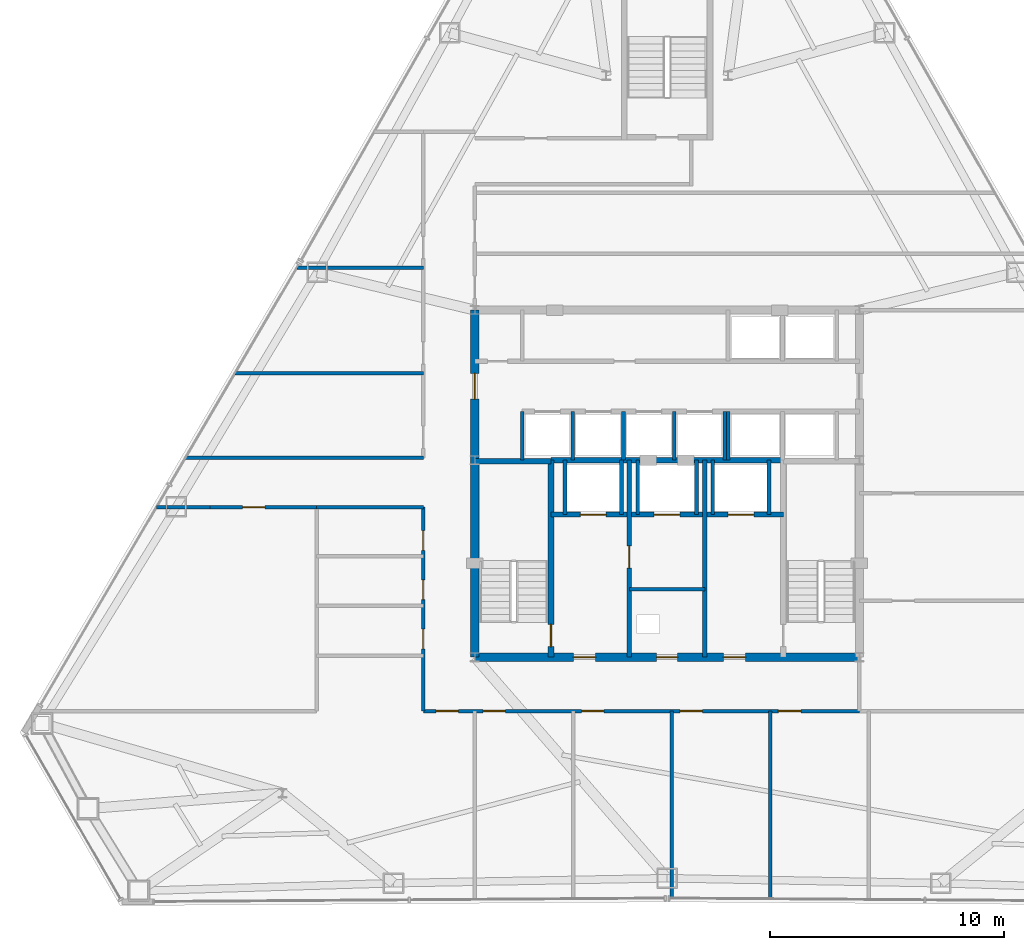
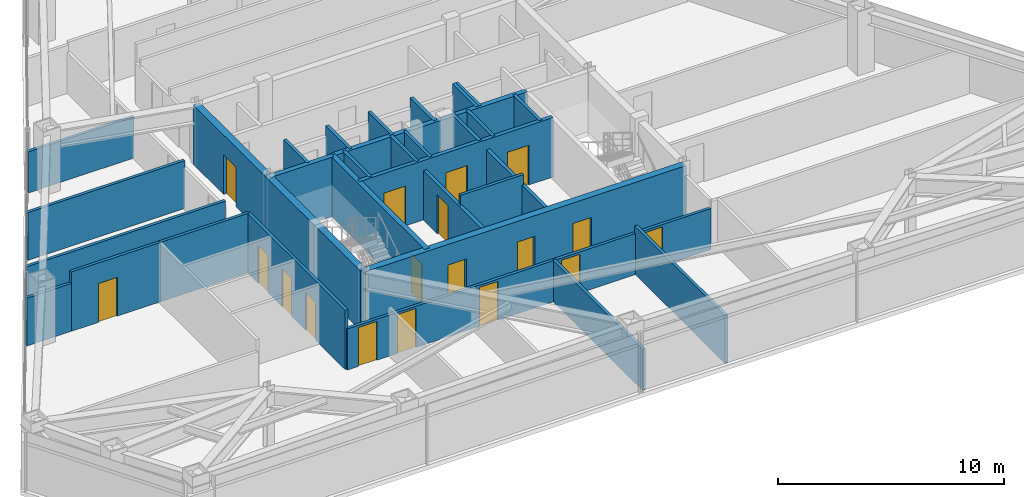
# One storey, part 10 of 13: 31 walls, 18 doors, 18 openings.
"""IFC4 building model written with IfcOpenShell, lengths in metres."""

from ifc_helpers import new_model, si_unit, direction, frame, frame_2d, origin, place, context, subcontext, project, spatial, rectangle, extrude, material, layer, layer_set, type_object, element, fill, save


model = new_model("IFC4")

# Units and contexts
model_context = context("Model", 3, precision=1e-05, world=origin(), true_north=direction((0.0, 1.0)))
body_context = subcontext(model_context, "Body", "Model", "MODEL_VIEW")
ifc_project = project(units=[si_unit("LENGTHUNIT", "METRE"), si_unit("AREAUNIT", "SQUARE_METRE"), si_unit("VOLUMEUNIT", "CUBIC_METRE"), si_unit("PLANEANGLEUNIT", "RADIAN"), si_unit("MASSUNIT", "GRAM", prefix="KILO")], contexts=[model_context])

# Site, building, storey
site_placement = place(None, origin())
site = spatial("IfcSite", under=ifc_project, at=site_placement, CompositionType="ELEMENT")
building_placement = place(site_placement, origin())
building = spatial("IfcBuilding", under=site, at=building_placement, Name="Varakhsha Concourse Tower", CompositionType="ELEMENT")
storey_placement = place(building_placement, frame((0.0, 0.0, 136.699951171875)))
storey = spatial("IfcBuildingStorey", under=building, at=storey_placement, Name="L39", CompositionType="ELEMENT", Elevation=136.699951171875)

# Wall, openings, doors
ifc_material_1 = material(Name="Concrete fc 65 MPa", Category="concrete")
ifc_layer_1 = layer(ifc_material_1, 0.35009765625, Name="WL-CORE-350")
ifc_layer_set_1 = layer_set([ifc_layer_1], Name="Concrete fc 65 MPa")
wall_type_1 = type_object("IfcWallType", Name="WL-CORE-350", PredefinedType="SHEAR", material=ifc_layer_set_1)
wall_1_placement = place(storey_placement, frame((31.800048828125, 16.39990234375, 0.0), z_axis=(0.0, 0.0, 1.0), x_axis=(1.0, 0.0, 0.0)))
wall_1 = element("IfcWall", 1, at=wall_1_placement, inside=storey, type_object=wall_type_1, Name="L39 Wall CWALL-S-L39", PredefinedType="SHEAR", context=body_context, shape_type="SweptSolid", body=[
    extrude(rectangle(XDim=16.39990234375, YDim=0.35009765625, at=frame_2d((8.199951171875, 0.0))), origin(), (0.0, 0.0, 1.0), 3.2099609375),
])
opening_1_placement = place(wall_1_placement, frame((7.75, 0.0, 0.0)))
opening_1 = element("IfcOpeningElement", 2, at=opening_1_placement, cuts=wall_1, Name="Opening DF-06", PredefinedType="OPENING", context=body_context, shape_type="SweptSolid", body=[
    extrude(rectangle(XDim=0.89990234375, YDim=2.10009765625, at=frame_2d((0.449951171875, 1.050048828125))), frame((0.0, 0.18505859375, 0.0), z_axis=(0.0, -1.0, 0.0), x_axis=(1.0, 0.0, 0.0)), (0.0, 0.0, 1.0), 0.3701171875),
])
opening_2_placement = place(wall_1_placement, frame((4.199951171875, 0.0, 0.0)))
opening_2 = element("IfcOpeningElement", 3, at=opening_2_placement, cuts=wall_1, Name="Opening DF-05", PredefinedType="OPENING", context=body_context, shape_type="SweptSolid", body=[
    extrude(rectangle(XDim=0.949951171875, YDim=2.10009765625, at=frame_2d((0.47509765625, 1.050048828125))), frame((0.0, 0.18505859375, 0.0), z_axis=(0.0, -1.0, 0.0), x_axis=(1.0, 0.0, 0.0)), (0.0, 0.0, 1.0), 0.3701171875),
])
opening_3_placement = place(wall_1_placement, frame((10.60009765625, 0.0, 0.0)))
opening_3 = element("IfcOpeningElement", 4, at=opening_3_placement, cuts=wall_1, Name="Opening DF-05", PredefinedType="OPENING", context=body_context, shape_type="SweptSolid", body=[
    extrude(rectangle(XDim=0.949951171875, YDim=2.10009765625, at=frame_2d((0.47509765625, 1.050048828125))), frame((0.0, 0.18505859375, 0.0), z_axis=(0.0, -1.0, 0.0), x_axis=(1.0, 0.0, 0.0)), (0.0, 0.0, 1.0), 0.3701171875),
])
ifc_material_2 = material(Name="Hollow Galvanised Steel Fire Door Assembly", Category="steel")
door_type_1 = type_object("IfcDoorType", Name="DR-FD60-900", OperationType="NOTDEFINED", PredefinedType="DOOR", material=ifc_material_2)
door_1_placement = place(opening_1_placement, origin())
door_1 = element("IfcDoor", 5, at=door_1_placement, inside=storey, type_object=door_type_1, Name="L39 Electrical Riser Access Door", OperationType="SINGLE_SWING_LEFT", OverallHeight=2.10009765625, OverallWidth=0.89990234375, PredefinedType="DOOR", context=body_context, shape_type="SweptSolid", body=[
    extrude(rectangle(XDim=0.89990234375, YDim=2.10009765625, at=frame_2d((0.449951171875, 1.050048828125))), frame((0.0, 0.02490234375, 0.0), z_axis=(0.0, -1.0, 0.0), x_axis=(1.0, 0.0, 0.0)), (0.0, 0.0, 1.0), 0.050048828125),
])
fill(opening_1, door_1)
door_type_2 = type_object("IfcDoorType", Name="DR-FD60-950", OperationType="NOTDEFINED", PredefinedType="DOOR", material=ifc_material_2)
door_2_placement = place(opening_2_placement, origin())
door_2 = element("IfcDoor", 6, at=door_2_placement, inside=storey, type_object=door_type_2, Name="L39 Firefighting Lobby West Door", OperationType="SINGLE_SWING_RIGHT", OverallHeight=2.10009765625, OverallWidth=0.949951171875, PredefinedType="DOOR", context=body_context, shape_type="SweptSolid", body=[
    extrude(rectangle(XDim=0.949951171875, YDim=2.10009765625, at=frame_2d((0.47509765625, 1.050048828125))), frame((0.0, 0.02490234375, 0.0), z_axis=(0.0, -1.0, 0.0), x_axis=(1.0, 0.0, 0.0)), (0.0, 0.0, 1.0), 0.050048828125),
])
fill(opening_2, door_2)
door_3_placement = place(opening_3_placement, origin())
door_3 = element("IfcDoor", 7, at=door_3_placement, inside=storey, type_object=door_type_2, Name="L39 Firefighting Lobby East Door", OperationType="SINGLE_SWING_LEFT", OverallHeight=2.10009765625, OverallWidth=0.949951171875, PredefinedType="DOOR", context=body_context, shape_type="SweptSolid", body=[
    extrude(rectangle(XDim=0.949951171875, YDim=2.10009765625, at=frame_2d((0.47509765625, 1.050048828125))), frame((0.0, 0.02490234375, 0.0), z_axis=(0.0, -1.0, 0.0), x_axis=(1.0, 0.0, 0.0)), (0.0, 0.0, 1.0), 0.050048828125),
])
fill(opening_3, door_3)

# Wall, opening, door
wall_2_placement = place(storey_placement, frame((31.800048828125, 16.39990234375, 0.0), z_axis=(0.0, 0.0, 1.0), x_axis=(0.0, 1.0, 0.0)))
wall_2 = element("IfcWall", 8, at=wall_2_placement, inside=storey, type_object=wall_type_1, Name="L39 Wall CWALL-W-L39", PredefinedType="SHEAR", context=body_context, shape_type="SweptSolid", body=[
    extrude(rectangle(XDim=14.800048828125, YDim=0.35009765625, at=frame_2d((7.39990234375, 0.0))), origin(), (0.0, 0.0, 1.0), 3.2099609375),
])
opening_4_placement = place(wall_2_placement, frame((11.0, 0.0, 0.0)))
opening_4 = element("IfcOpeningElement", 9, at=opening_4_placement, cuts=wall_2, Name="Opening DL-01", PredefinedType="OPENING", context=body_context, shape_type="SweptSolid", body=[
    extrude(rectangle(XDim=1.10009765625, YDim=2.14990234375, at=frame_2d((0.550048828125, 1.074951171875))), frame((0.0, 0.18505859375, 0.0), z_axis=(0.0, -1.0, 0.0), x_axis=(1.0, 0.0, 0.0)), (0.0, 0.0, 1.0), 0.3701171875),
])
ifc_material_3 = material(Name="Anodised Bronze Architectural Aluminium AA 6063-T6", Category="aluminium")
door_type_3 = type_object("IfcDoorType", Name="DR-LOB-1100", OperationType="NOTDEFINED", PredefinedType="DOOR", material=ifc_material_3)
door_4_placement = place(opening_4_placement, origin())
door_4 = element("IfcDoor", 10, at=door_4_placement, inside=storey, type_object=door_type_3, Name="L39 Lift Lobby West Concourse Door", OperationType="SINGLE_SWING_LEFT", OverallHeight=2.14990234375, OverallWidth=1.10009765625, PredefinedType="DOOR", context=body_context, shape_type="SweptSolid", body=[
    extrude(rectangle(XDim=1.10009765625, YDim=2.14990234375, at=frame_2d((0.550048828125, 1.074951171875))), frame((0.0, 0.02490234375, 0.0), z_axis=(0.0, -1.0, 0.0), x_axis=(1.0, 0.0, 0.0)), (0.0, 0.0, 1.0), 0.050048828125),
])
fill(opening_4, door_4)

ifc_material_4 = material(Name="Fire-Rated Type X Gypsum Partition Assembly", Category="gypsum")
ifc_layer_2 = layer(ifc_material_4, 0.179931640625, Name="WL-FFLOB-180")
ifc_layer_set_2 = layer_set([ifc_layer_2], Name="Fire-Rated Type X Gypsum Partition Assembly")
wall_type_2 = type_object("IfcWallType", Name="WL-FFLOB-180", PredefinedType="PARTITIONING", material=ifc_layer_set_2)
wall_3_placement = place(storey_placement, frame((38.389892578125, 16.39990234375, 0.0), z_axis=(0.0, 0.0, 1.0), x_axis=(0.0, 1.0, 0.0)))
wall_3 = element("IfcWall", 11, at=wall_3_placement, inside=storey, type_object=wall_type_2, Name="L39 Wall FFW-1E-L39", PredefinedType="PARTITIONING", context=body_context, shape_type="SweptSolid", body=[
    extrude(rectangle(XDim=8.400146484375, YDim=0.179931640625, at=frame_2d((4.2001953125, 0.0))), origin(), (0.0, 0.0, 1.0), 2.6611328125),
])
opening_5_placement = place(wall_3_placement, frame((3.800048828125, 0.0, 0.0)))
opening_5 = element("IfcOpeningElement", 12, at=opening_5_placement, cuts=wall_3, Name="Opening DF-05", PredefinedType="OPENING", context=body_context, shape_type="SweptSolid", body=[
    extrude(rectangle(XDim=0.949951171875, YDim=2.10009765625, at=frame_2d((0.47509765625, 1.050048828125))), frame((0.0, 0.099853515625, 0.0), z_axis=(0.0, -1.0, 0.0), x_axis=(1.0, 0.0, 0.0)), (0.0, 0.0, 1.0), 0.199951171875),
])
door_5_placement = place(opening_5_placement, origin())
door_5 = element("IfcDoor", 13, at=door_5_placement, inside=storey, type_object=door_type_2, Name="L39 Service Vestibule Door", OperationType="SINGLE_SWING_RIGHT", OverallHeight=2.10009765625, OverallWidth=0.949951171875, PredefinedType="DOOR", context=body_context, shape_type="SweptSolid", body=[
    extrude(rectangle(XDim=0.949951171875, YDim=2.10009765625, at=frame_2d((0.47509765625, 1.050048828125))), frame((0.0, 0.02490234375, 0.0), z_axis=(0.0, -1.0, 0.0), x_axis=(1.0, 0.0, 0.0)), (0.0, 0.0, 1.0), 0.050048828125),
])
fill(opening_5, door_5)

# Walls
wall_4_placement = place(storey_placement, frame((41.610107421875, 16.39990234375, 0.0), z_axis=(0.0, 0.0, 1.0), x_axis=(0.0, 1.0, 0.0)))
element("IfcWall", 14, at=wall_4_placement, inside=storey, type_object=wall_type_2, Name="L39 Wall FFW-2W-L39", PredefinedType="PARTITIONING", context=body_context, shape_type="SweptSolid", body=[
    extrude(rectangle(XDim=8.400146484375, YDim=0.179931640625, at=frame_2d((4.2001953125, 0.0))), origin(), (0.0, 0.0, 1.0), 2.6611328125),
])
ifc_layer_3 = layer(ifc_material_4, 0.14990234375, Name="WL-PART-150")
ifc_layer_set_3 = layer_set([ifc_layer_3], Name="Fire-Rated Type X Gypsum Partition Assembly")
wall_type_3 = type_object("IfcWallType", Name="WL-PART-150", PredefinedType="PARTITIONING", material=ifc_layer_set_3)
wall_5_placement = place(storey_placement, frame((38.389892578125, 19.300048828125, 0.0), z_axis=(0.0, 0.0, 1.0), x_axis=(1.0, 0.0, 0.0)))
element("IfcWall", 15, at=wall_5_placement, inside=storey, type_object=wall_type_3, Name="L39 Wall RSW-H-L39", PredefinedType="PARTITIONING", context=body_context, shape_type="SweptSolid", body=[
    extrude(rectangle(XDim=3.22021484375, YDim=0.14990234375, at=frame_2d((1.610107421875, 0.0))), origin(), (0.0, 0.0, 1.0), 3.2099609375),
])

# Wall, openings, doors
wall_6_placement = place(storey_placement, frame((29.60009765625, 14.10009765625, 0.0), z_axis=(0.0, 0.0, 1.0), x_axis=(1.0, 0.0, 0.0)))
wall_6 = element("IfcWall", 16, at=wall_6_placement, inside=storey, type_object=wall_type_3, Name="L39 Wall CRW-S-L39", PredefinedType="PARTITIONING", context=body_context, shape_type="SweptSolid", body=[
    extrude(rectangle(XDim=18.599853515625, YDim=0.14990234375, at=frame_2d((9.2998046875, 0.0))), origin(), (0.0, 0.0, 1.0), 2.22509765625),
])
opening_6_placement = place(wall_6_placement, frame((0.550048828125, 0.0, 0.0)))
opening_6 = element("IfcOpeningElement", 17, at=opening_6_placement, cuts=wall_6, Name="Opening DF-05", PredefinedType="OPENING", context=body_context, shape_type="SweptSolid", body=[
    extrude(rectangle(XDim=0.949951171875, YDim=2.10009765625, at=frame_2d((0.47509765625, 1.050048828125))), frame((0.0, 0.0849609375, 0.0), z_axis=(0.0, -1.0, 0.0), x_axis=(1.0, 0.0, 0.0)), (0.0, 0.0, 1.0), 0.169921875),
])
opening_7_placement = place(wall_6_placement, frame((2.550048828125, 0.0, 0.0)))
opening_7 = element("IfcOpeningElement", 18, at=opening_7_placement, cuts=wall_6, Name="Opening DF-05", PredefinedType="OPENING", context=body_context, shape_type="SweptSolid", body=[
    extrude(rectangle(XDim=0.949951171875, YDim=2.10009765625, at=frame_2d((0.47509765625, 1.050048828125))), frame((0.0, 0.0849609375, 0.0), z_axis=(0.0, -1.0, 0.0), x_axis=(1.0, 0.0, 0.0)), (0.0, 0.0, 1.0), 0.169921875),
])
opening_8_placement = place(wall_6_placement, frame((6.75, 0.0, 0.0)))
opening_8 = element("IfcOpeningElement", 19, at=opening_8_placement, cuts=wall_6, Name="Opening DF-05", PredefinedType="OPENING", context=body_context, shape_type="SweptSolid", body=[
    extrude(rectangle(XDim=0.949951171875, YDim=2.10009765625, at=frame_2d((0.47509765625, 1.050048828125))), frame((0.0, 0.0849609375, 0.0), z_axis=(0.0, -1.0, 0.0), x_axis=(1.0, 0.0, 0.0)), (0.0, 0.0, 1.0), 0.169921875),
])
opening_9_placement = place(wall_6_placement, frame((10.949951171875, 0.0, 0.0)))
opening_9 = element("IfcOpeningElement", 20, at=opening_9_placement, cuts=wall_6, Name="Opening DF-05", PredefinedType="OPENING", context=body_context, shape_type="SweptSolid", body=[
    extrude(rectangle(XDim=0.949951171875, YDim=2.10009765625, at=frame_2d((0.47509765625, 1.050048828125))), frame((0.0, 0.0849609375, 0.0), z_axis=(0.0, -1.0, 0.0), x_axis=(1.0, 0.0, 0.0)), (0.0, 0.0, 1.0), 0.169921875),
])
opening_10_placement = place(wall_6_placement, frame((15.14990234375, 0.0, 0.0)))
opening_10 = element("IfcOpeningElement", 21, at=opening_10_placement, cuts=wall_6, Name="Opening DF-05", PredefinedType="OPENING", context=body_context, shape_type="SweptSolid", body=[
    extrude(rectangle(XDim=0.949951171875, YDim=2.10009765625, at=frame_2d((0.47509765625, 1.050048828125))), frame((0.0, 0.0849609375, 0.0), z_axis=(0.0, -1.0, 0.0), x_axis=(1.0, 0.0, 0.0)), (0.0, 0.0, 1.0), 0.169921875),
])
door_6_placement = place(opening_6_placement, origin())
door_6 = element("IfcDoor", 22, at=door_6_placement, inside=storey, type_object=door_type_2, Name="L39 BIM Coordination Workroom L39-S1 Door", OperationType="SINGLE_SWING_LEFT", OverallHeight=2.10009765625, OverallWidth=0.949951171875, PredefinedType="DOOR", context=body_context, shape_type="SweptSolid", body=[
    extrude(rectangle(XDim=0.949951171875, YDim=2.10009765625, at=frame_2d((0.47509765625, 1.050048828125))), frame((0.0, 0.02490234375, 0.0), z_axis=(0.0, -1.0, 0.0), x_axis=(1.0, 0.0, 0.0)), (0.0, 0.0, 1.0), 0.050048828125),
])
fill(opening_6, door_6)
door_7_placement = place(opening_7_placement, origin())
door_7 = element("IfcDoor", 23, at=door_7_placement, inside=storey, type_object=door_type_2, Name="L39 Dry R&D Design Lab L39-S2 Door", OperationType="SINGLE_SWING_RIGHT", OverallHeight=2.10009765625, OverallWidth=0.949951171875, PredefinedType="DOOR", context=body_context, shape_type="SweptSolid", body=[
    extrude(rectangle(XDim=0.949951171875, YDim=2.10009765625, at=frame_2d((0.47509765625, 1.050048828125))), frame((0.0, 0.02490234375, 0.0), z_axis=(0.0, -1.0, 0.0), x_axis=(1.0, 0.0, 0.0)), (0.0, 0.0, 1.0), 0.050048828125),
])
fill(opening_7, door_7)
door_8_placement = place(opening_8_placement, origin())
door_8 = element("IfcDoor", 24, at=door_8_placement, inside=storey, type_object=door_type_2, Name="L39 Dry R&D Design Lab L39-S3 Door", OperationType="SINGLE_SWING_LEFT", OverallHeight=2.10009765625, OverallWidth=0.949951171875, PredefinedType="DOOR", context=body_context, shape_type="SweptSolid", body=[
    extrude(rectangle(XDim=0.949951171875, YDim=2.10009765625, at=frame_2d((0.47509765625, 1.050048828125))), frame((0.0, 0.02490234375, 0.0), z_axis=(0.0, -1.0, 0.0), x_axis=(1.0, 0.0, 0.0)), (0.0, 0.0, 1.0), 0.050048828125),
])
fill(opening_8, door_8)
door_9_placement = place(opening_9_placement, origin())
door_9 = element("IfcDoor", 25, at=door_9_placement, inside=storey, type_object=door_type_2, Name="L39 Dry R&D Design Lab L39-S4 Door", OperationType="SINGLE_SWING_RIGHT", OverallHeight=2.10009765625, OverallWidth=0.949951171875, PredefinedType="DOOR", context=body_context, shape_type="SweptSolid", body=[
    extrude(rectangle(XDim=0.949951171875, YDim=2.10009765625, at=frame_2d((0.47509765625, 1.050048828125))), frame((0.0, 0.02490234375, 0.0), z_axis=(0.0, -1.0, 0.0), x_axis=(1.0, 0.0, 0.0)), (0.0, 0.0, 1.0), 0.050048828125),
])
fill(opening_9, door_9)
door_10_placement = place(opening_10_placement, origin())
door_10 = element("IfcDoor", 26, at=door_10_placement, inside=storey, type_object=door_type_2, Name="L39 Dry R&D Design Lab L39-S5 Door", OperationType="SINGLE_SWING_LEFT", OverallHeight=2.10009765625, OverallWidth=0.949951171875, PredefinedType="DOOR", context=body_context, shape_type="SweptSolid", body=[
    extrude(rectangle(XDim=0.949951171875, YDim=2.10009765625, at=frame_2d((0.47509765625, 1.050048828125))), frame((0.0, 0.02490234375, 0.0), z_axis=(0.0, -1.0, 0.0), x_axis=(1.0, 0.0, 0.0)), (0.0, 0.0, 1.0), 0.050048828125),
])
fill(opening_10, door_10)

wall_7_placement = place(storey_placement, frame((29.60009765625, 14.10009765625, 0.0), z_axis=(0.0, 0.0, 1.0), x_axis=(0.0, 1.0, 0.0)))
wall_7 = element("IfcWall", 27, at=wall_7_placement, inside=storey, type_object=wall_type_3, Name="L39 Wall CRW-WS-L39", PredefinedType="PARTITIONING", context=body_context, shape_type="SweptSolid", body=[
    extrude(rectangle(XDim=8.699951171875, YDim=0.14990234375, at=frame_2d((4.35009765625, 0.0))), origin(), (0.0, 0.0, 1.0), 3.2099609375),
])
opening_11_placement = place(wall_7_placement, frame((2.64990234375, 0.0, 0.0)))
opening_11 = element("IfcOpeningElement", 28, at=opening_11_placement, cuts=wall_7, Name="Opening DF-07", PredefinedType="OPENING", context=body_context, shape_type="SweptSolid", body=[
    extrude(rectangle(XDim=0.85009765625, YDim=2.050048828125, at=frame_2d((0.425048828125, 1.02490234375))), frame((0.0, 0.0849609375, 0.0), z_axis=(0.0, -1.0, 0.0), x_axis=(1.0, 0.0, 0.0)), (0.0, 0.0, 1.0), 0.169921875),
])
opening_12_placement = place(wall_7_placement, frame((4.75, 0.0, 0.0)))
opening_12 = element("IfcOpeningElement", 29, at=opening_12_placement, cuts=wall_7, Name="Opening DF-07", PredefinedType="OPENING", context=body_context, shape_type="SweptSolid", body=[
    extrude(rectangle(XDim=0.85009765625, YDim=2.050048828125, at=frame_2d((0.425048828125, 1.02490234375))), frame((0.0, 0.0849609375, 0.0), z_axis=(0.0, -1.0, 0.0), x_axis=(1.0, 0.0, 0.0)), (0.0, 0.0, 1.0), 0.169921875),
])
opening_13_placement = place(wall_7_placement, frame((6.85009765625, 0.0, 0.0)))
opening_13 = element("IfcOpeningElement", 30, at=opening_13_placement, cuts=wall_7, Name="Opening DF-07", PredefinedType="OPENING", context=body_context, shape_type="SweptSolid", body=[
    extrude(rectangle(XDim=0.85009765625, YDim=2.050048828125, at=frame_2d((0.425048828125, 1.02490234375))), frame((0.0, 0.0849609375, 0.0), z_axis=(0.0, -1.0, 0.0), x_axis=(1.0, 0.0, 0.0)), (0.0, 0.0, 1.0), 0.169921875),
])
door_type_4 = type_object("IfcDoorType", Name="DR-FD60-850", OperationType="NOTDEFINED", PredefinedType="DOOR", material=ifc_material_2)
door_11_placement = place(opening_11_placement, origin())
door_11 = element("IfcDoor", 31, at=door_11_placement, inside=storey, type_object=door_type_4, Name="L39 Men Restroom WC Door", OperationType="SINGLE_SWING_LEFT", OverallHeight=2.050048828125, OverallWidth=0.85009765625, PredefinedType="DOOR", context=body_context, shape_type="SweptSolid", body=[
    extrude(rectangle(XDim=0.85009765625, YDim=2.050048828125, at=frame_2d((0.425048828125, 1.02490234375))), frame((0.0, 0.02490234375, 0.0), z_axis=(0.0, -1.0, 0.0), x_axis=(1.0, 0.0, 0.0)), (0.0, 0.0, 1.0), 0.050048828125),
])
fill(opening_11, door_11)
door_12_placement = place(opening_12_placement, origin())
door_12 = element("IfcDoor", 32, at=door_12_placement, inside=storey, type_object=door_type_4, Name="L39 Women Restroom WC Door", OperationType="SINGLE_SWING_LEFT", OverallHeight=2.050048828125, OverallWidth=0.85009765625, PredefinedType="DOOR", context=body_context, shape_type="SweptSolid", body=[
    extrude(rectangle(XDim=0.85009765625, YDim=2.050048828125, at=frame_2d((0.425048828125, 1.02490234375))), frame((0.0, 0.02490234375, 0.0), z_axis=(0.0, -1.0, 0.0), x_axis=(1.0, 0.0, 0.0)), (0.0, 0.0, 1.0), 0.050048828125),
])
fill(opening_12, door_12)
door_13_placement = place(opening_13_placement, origin())
door_13 = element("IfcDoor", 33, at=door_13_placement, inside=storey, type_object=door_type_4, Name="L39 Accessible WC Door", OperationType="SINGLE_SWING_LEFT", OverallHeight=2.050048828125, OverallWidth=0.85009765625, PredefinedType="DOOR", context=body_context, shape_type="SweptSolid", body=[
    extrude(rectangle(XDim=0.85009765625, YDim=2.050048828125, at=frame_2d((0.425048828125, 1.02490234375))), frame((0.0, 0.02490234375, 0.0), z_axis=(0.0, -1.0, 0.0), x_axis=(1.0, 0.0, 0.0)), (0.0, 0.0, 1.0), 0.050048828125),
])
fill(opening_13, door_13)

# Walls
wall_8_placement = place(storey_placement, frame((18.2236328125, 22.800048828125, 0.0), z_axis=(0.0, 0.0, 1.0), x_axis=(1.0, 0.0, 0.0)))
element("IfcWall", 34, at=wall_8_placement, inside=storey, type_object=wall_type_3, Name="L39 Wall CRW-WWS-W-L39", PredefinedType="PARTITIONING", context=body_context, shape_type="SweptSolid", body=[
    extrude(rectangle(XDim=2.2763671875, YDim=0.14990234375, at=frame_2d((1.13818359375, 0.0))), origin(), (0.0, 0.0, 1.0), 2.589111328125),
])
wall_9_placement = place(storey_placement, frame((25.050048828125, 22.800048828125, 0.0), z_axis=(0.0, 0.0, 1.0), x_axis=(1.0, 0.0, 0.0)))
element("IfcWall", 35, at=wall_9_placement, inside=storey, type_object=wall_type_3, Name="L39 Wall CRW-WWS-E-L39", PredefinedType="PARTITIONING", context=body_context, shape_type="SweptSolid", body=[
    extrude(rectangle(XDim=4.550048828125, YDim=0.14990234375, at=frame_2d((2.27490234375, 0.0))), origin(), (0.0, 0.0, 1.0), 3.2099609375),
])
wall_10_placement = place(storey_placement, frame((19.455078125, 24.89990234375, 0.0), z_axis=(0.0, 0.0, 1.0), x_axis=(1.0, 0.0, 0.0)))
element("IfcWall", 36, at=wall_10_placement, inside=storey, type_object=wall_type_3, Name="L39 Wall CRW-WWN-L39", PredefinedType="PARTITIONING", context=body_context, shape_type="SweptSolid", body=[
    extrude(rectangle(XDim=10.14501953125, YDim=0.14990234375, at=frame_2d((5.072509765625, 0.0))), origin(), (0.0, 0.0, 1.0), 2.589111328125),
])
wall_11_placement = place(storey_placement, frame((40.199951171875, 6.121826171875, 0.0), z_axis=(0.0, 0.0, 1.0), x_axis=(0.0, 1.0, 0.0)))
element("IfcWall", 37, at=wall_11_placement, inside=storey, type_object=wall_type_3, Name="L39 Wall ODIV-S3-L39", PredefinedType="PARTITIONING", context=body_context, shape_type="SweptSolid", body=[
    extrude(rectangle(XDim=7.978271484375, YDim=0.14990234375, at=frame_2d((3.9892578125, 0.0))), origin(), (0.0, 0.0, 1.0), 2.22509765625),
])
wall_12_placement = place(storey_placement, frame((44.39990234375, 6.093505859375, 0.0), z_axis=(0.0, 0.0, 1.0), x_axis=(0.0, 1.0, 0.0)))
element("IfcWall", 38, at=wall_12_placement, inside=storey, type_object=wall_type_3, Name="L39 Wall ODIV-S4-L39", PredefinedType="PARTITIONING", context=body_context, shape_type="SweptSolid", body=[
    extrude(rectangle(XDim=8.006591796875, YDim=0.14990234375, at=frame_2d((4.00341796875, 0.0))), origin(), (0.0, 0.0, 1.0), 2.589111328125),
])

# Wall, opening, door
wall_13_placement = place(storey_placement, frame((20.5, 22.800048828125, 0.0), z_axis=(0.0, 0.0, 1.0), x_axis=(1.0, 0.0, 0.0)))
wall_13 = element("IfcWall", 39, at=wall_13_placement, inside=storey, type_object=wall_type_3, Name="L39 Wall CRW-WWS-DOOR-L39", PredefinedType="PARTITIONING", context=body_context, shape_type="SweptSolid", body=[
    extrude(rectangle(XDim=4.550048828125, YDim=0.14990234375, at=frame_2d((2.27490234375, 0.0))), origin(), (0.0, 0.0, 1.0), 3.2099609375),
])
opening_14_placement = place(wall_13_placement, frame((1.39990234375, 0.0, 0.0)))
opening_14 = element("IfcOpeningElement", 40, at=opening_14_placement, cuts=wall_13, Name="Opening DF-05", PredefinedType="OPENING", context=body_context, shape_type="SweptSolid", body=[
    extrude(rectangle(XDim=0.949951171875, YDim=2.10009765625, at=frame_2d((0.47509765625, 1.050048828125))), frame((0.0, 0.0849609375, 0.0), z_axis=(0.0, -1.0, 0.0), x_axis=(1.0, 0.0, 0.0)), (0.0, 0.0, 1.0), 0.169921875),
])
door_14_placement = place(opening_14_placement, origin())
door_14 = element("IfcDoor", 41, at=door_14_placement, inside=storey, type_object=door_type_2, Name="L39 Instrumentation Calibration Studio L39-SW Door", OperationType="SINGLE_SWING_LEFT", OverallHeight=2.10009765625, OverallWidth=0.949951171875, PredefinedType="DOOR", context=body_context, shape_type="SweptSolid", body=[
    extrude(rectangle(XDim=0.949951171875, YDim=2.10009765625, at=frame_2d((0.47509765625, 1.050048828125))), frame((0.0, 0.02490234375, 0.0), z_axis=(0.0, -1.0, 0.0), x_axis=(1.0, 0.0, 0.0)), (0.0, 0.0, 1.0), 0.050048828125),
])
fill(opening_14, door_14)

# Walls
wall_14_placement = place(storey_placement, frame((21.56640625, 28.5, 0.0), z_axis=(0.0, 0.0, 1.0), x_axis=(1.0, 0.0, 0.0)))
element("IfcWall", 42, at=wall_14_placement, inside=storey, type_object=wall_type_3, Name="L39 Wall ODIV-W1-L39", PredefinedType="PARTITIONING", context=body_context, shape_type="SweptSolid", body=[
    extrude(rectangle(XDim=8.03369140625, YDim=0.14990234375, at=frame_2d((4.016845703125, 0.0))), origin(), (0.0, 0.0, 1.0), 2.589111328125),
])
wall_15_placement = place(storey_placement, frame((24.205322265625, 33.0, 0.0), z_axis=(0.0, 0.0, 1.0), x_axis=(1.0, 0.0, 0.0)))
element("IfcWall", 43, at=wall_15_placement, inside=storey, type_object=wall_type_3, Name="L39 Wall ODIV-W2-L39", PredefinedType="PARTITIONING", context=body_context, shape_type="SweptSolid", body=[
    extrude(rectangle(XDim=5.394775390625, YDim=0.14990234375, at=frame_2d((2.697265625, 0.0))), origin(), (0.0, 0.0, 1.0), 2.22509765625),
])

# Wall, openings, doors
ifc_layer_4 = layer(ifc_material_4, 0.199951171875, Name="WL-SHAFT-220")
ifc_layer_set_4 = layer_set([ifc_layer_4], Name="Fire-Rated Type X Gypsum Partition Assembly")
wall_type_4 = type_object("IfcWallType", Name="WL-SHAFT-220", PredefinedType="SOLIDWALL", material=ifc_layer_set_4)
wall_16_placement = place(storey_placement, frame((35.044921875, 22.47998046875, 0.0), z_axis=(0.0, 0.0, 1.0), x_axis=(1.0, 0.0, 0.0)))
wall_16 = element("IfcWall", 44, at=wall_16_placement, inside=storey, type_object=wall_type_4, Name="L39 Wall FFW-NH-L39", PredefinedType="SOLIDWALL", context=body_context, shape_type="SweptSolid", body=[
    extrude(rectangle(XDim=9.91015625, YDim=0.199951171875, at=frame_2d((4.955078125, 0.0))), origin(), (0.0, 0.0, 1.0), 3.2099609375),
])
opening_15_placement = place(wall_16_placement, frame((1.2548828125, 0.0, 0.0)))
opening_15 = element("IfcOpeningElement", 45, at=opening_15_placement, cuts=wall_16, Name="Opening LD-FFL-1", PredefinedType="OPENING", context=body_context, shape_type="SweptSolid", body=[
    extrude(rectangle(XDim=1.10009765625, YDim=2.14990234375, at=frame_2d((0.550048828125, 1.074951171875))), frame((0.0, 0.10986328125, 0.0), z_axis=(0.0, -1.0, 0.0), x_axis=(1.0, 0.0, 0.0)), (0.0, 0.0, 1.0), 0.219970703125),
])
opening_16_placement = place(wall_16_placement, frame((7.554931640625, 0.0, 0.0)))
opening_16 = element("IfcOpeningElement", 46, at=opening_16_placement, cuts=wall_16, Name="Opening LD-FFL-2", PredefinedType="OPENING", context=body_context, shape_type="SweptSolid", body=[
    extrude(rectangle(XDim=1.10009765625, YDim=2.14990234375, at=frame_2d((0.550048828125, 1.074951171875))), frame((0.0, 0.10986328125, 0.0), z_axis=(0.0, -1.0, 0.0), x_axis=(1.0, 0.0, 0.0)), (0.0, 0.0, 1.0), 0.219970703125),
])
opening_17_placement = place(wall_16_placement, frame((4.405029296875, 0.0, 0.0)))
opening_17 = element("IfcOpeningElement", 47, at=opening_17_placement, cuts=wall_16, Name="Opening LD-SVL-1", PredefinedType="OPENING", context=body_context, shape_type="SweptSolid", body=[
    extrude(rectangle(XDim=1.10009765625, YDim=2.14990234375, at=frame_2d((0.550048828125, 1.074951171875))), frame((0.0, 0.10986328125, 0.0), z_axis=(0.0, -1.0, 0.0), x_axis=(1.0, 0.0, 0.0)), (0.0, 0.0, 1.0), 0.219970703125),
])
ifc_material_5 = material(Name="Brushed Austenitic Stainless Steel AISI 316", Category="steel")
door_type_5 = type_object("IfcDoorType", Name="DR-LD-1100", OperationType="DOUBLE_DOOR_SLIDING", PredefinedType="DOOR", material=ifc_material_5)
door_15_placement = place(opening_15_placement, origin())
door_15 = element("IfcDoor", 48, at=door_15_placement, inside=storey, type_object=door_type_5, Name="Lift Landing Door FFL-1 L39", OperationType="DOUBLE_DOOR_SLIDING", OverallHeight=2.14990234375, OverallWidth=1.10009765625, PredefinedType="DOOR", context=body_context, shape_type="SweptSolid", body=[
    extrude(rectangle(XDim=1.10009765625, YDim=2.14990234375, at=frame_2d((0.550048828125, 1.074951171875))), frame((0.0, 0.02490234375, 0.0), z_axis=(0.0, -1.0, 0.0), x_axis=(1.0, 0.0, 0.0)), (0.0, 0.0, 1.0), 0.050048828125),
])
fill(opening_15, door_15)
door_16_placement = place(opening_16_placement, origin())
door_16 = element("IfcDoor", 49, at=door_16_placement, inside=storey, type_object=door_type_5, Name="Lift Landing Door FFL-2 L39", OperationType="DOUBLE_DOOR_SLIDING", OverallHeight=2.14990234375, OverallWidth=1.10009765625, PredefinedType="DOOR", context=body_context, shape_type="SweptSolid", body=[
    extrude(rectangle(XDim=1.10009765625, YDim=2.14990234375, at=frame_2d((0.550048828125, 1.074951171875))), frame((0.0, 0.02490234375, 0.0), z_axis=(0.0, -1.0, 0.0), x_axis=(1.0, 0.0, 0.0)), (0.0, 0.0, 1.0), 0.050048828125),
])
fill(opening_16, door_16)
door_17_placement = place(opening_17_placement, origin())
door_17 = element("IfcDoor", 50, at=door_17_placement, inside=storey, type_object=door_type_5, Name="Lift Landing Door SVL-1 L39", OperationType="DOUBLE_DOOR_SLIDING", OverallHeight=2.14990234375, OverallWidth=1.10009765625, PredefinedType="DOOR", context=body_context, shape_type="SweptSolid", body=[
    extrude(rectangle(XDim=1.10009765625, YDim=2.14990234375, at=frame_2d((0.550048828125, 1.074951171875))), frame((0.0, 0.02490234375, 0.0), z_axis=(0.0, -1.0, 0.0), x_axis=(1.0, 0.0, 0.0)), (0.0, 0.0, 1.0), 0.050048828125),
])
fill(opening_17, door_17)

# Walls
for number, where, z_axis, x_axis, name in (
    (51, (35.64990234375, 22.47998046875, 0.0), (0.0, 0.0, 1.0), (0.0, 1.0, 0.0), "L39 Wall SHW-FFL-1-W-L39"),
    (52, (38.050048828125, 22.47998046875, 0.0), (0.0, 0.0, 1.0), (0.0, 1.0, 0.0), "L39 Wall SHW-FFL-1-E-L39"),
    (53, (41.949951171875, 22.47998046875, 0.0), (0.0, 0.0, 1.0), (0.0, 1.0, 0.0), "L39 Wall SHW-FFL-2-W-L39"),
    (54, (44.35009765625, 22.47998046875, 0.0), (0.0, 0.0, 1.0), (0.0, 1.0, 0.0), "L39 Wall SHW-FFL-2-E-L39"),
    (55, (38.75, 22.47998046875, 0.0), (0.0, 0.0, 1.0), (0.0, 1.0, 0.0), "L39 Wall SHW-SVL-1-W-L39"),
    (56, (41.25, 22.47998046875, 0.0), (0.0, 0.0, 1.0), (0.0, 1.0, 0.0), "L39 Wall SHW-SVL-1-E-L39"),
):
    element("IfcWall", number, at=place(storey_placement, frame(where, z_axis=z_axis, x_axis=x_axis)), inside=storey, type_object=wall_type_4, Name=name, PredefinedType="SOLIDWALL", context=body_context, shape_type="SweptSolid", body=[
        extrude(rectangle(XDim=2.320068359375, YDim=0.159912109375, at=frame_2d((1.16015625, 0.0))), origin(), (0.0, 0.0, 1.0), 3.2099609375),
    ])
for number, where, z_axis, x_axis, name in (
    (57, (33.820068359375, 24.800048828125, 0.0), (0.0, 0.0, 1.0), (0.0, 1.0, 0.0), "L39 Wall WBOH-E2-L39"),
    (58, (35.97998046875, 24.800048828125, 0.0), (0.0, 0.0, 1.0), (0.0, 1.0, 0.0), "L39 Wall SHW-LF-P05-E-L39"),
    (59, (38.139892578125, 24.800048828125, 0.0), (0.0, 0.0, 1.0), (0.0, 1.0, 0.0), "L39 Wall SHW-LF-P06-E-L39"),
    (60, (40.300048828125, 24.800048828125, 0.0), (0.0, 0.0, 1.0), (0.0, 1.0, 0.0), "L39 Wall SHW-LF-P07-E-L39"),
    (61, (42.4599609375, 24.800048828125, 0.0), (0.0, 0.0, 1.0), (0.0, 1.0, 0.0), "L39 Wall SHW-LF-P08-E-L39"),
    (62, (42.60009765625, 24.800048828125, 0.0), (0.0, 0.0, 1.0), (0.0, 1.0, 0.0), "L39 Wall SHW-LF-P11-W-L39"),
):
    element("IfcWall", number, at=place(storey_placement, frame(where, z_axis=z_axis, x_axis=x_axis)), inside=storey, type_object=wall_type_4, Name=name, PredefinedType="SOLIDWALL", context=body_context, shape_type="SweptSolid", body=[
        extrude(rectangle(XDim=2.079833984375, YDim=0.159912109375, at=frame_2d((1.0400390625, 0.0))), origin(), (0.0, 0.0, 1.0), 3.2099609375),
    ])

# Wall, opening, door
ifc_material_6 = material(Name="Concrete fc 45 MPa", Category="concrete")
ifc_layer_5 = layer(ifc_material_6, 0.25, Name="WL-STAIR-250")
ifc_layer_set_5 = layer_set([ifc_layer_5], Name="Concrete fc 45 MPa")
wall_type_5 = type_object("IfcWallType", Name="WL-STAIR-250", PredefinedType="SHEAR", material=ifc_layer_set_5)
wall_17_placement = place(storey_placement, frame((35.044921875, 16.39990234375, 0.0), z_axis=(0.0, 0.0, 1.0), x_axis=(0.0, 1.0, 0.0)))
wall_17 = element("IfcWall", 63, at=wall_17_placement, inside=storey, type_object=wall_type_5, Name="L39 Wall SWALL-ST1-E-L39", PredefinedType="SHEAR", context=body_context, shape_type="SweptSolid", body=[
    extrude(rectangle(XDim=8.400146484375, YDim=0.25, at=frame_2d((4.2001953125, 0.0))), origin(), (0.0, 0.0, 1.0), 3.2099609375),
])
opening_18_placement = place(wall_17_placement, frame((0.449951171875, 0.0, 0.0)))
opening_18 = element("IfcOpeningElement", 64, at=opening_18_placement, cuts=wall_17, Name="Opening DF-03", PredefinedType="OPENING", context=body_context, shape_type="SweptSolid", body=[
    extrude(rectangle(XDim=0.949951171875, YDim=2.10009765625, at=frame_2d((0.47509765625, 1.050048828125))), frame((0.0, 0.135009765625, 0.0), z_axis=(0.0, -1.0, 0.0), x_axis=(1.0, 0.0, 0.0)), (0.0, 0.0, 1.0), 0.27001953125),
])
door_type_6 = type_object("IfcDoorType", Name="DR-FD90-950", OperationType="NOTDEFINED", PredefinedType="DOOR", material=ifc_material_2)
door_18_placement = place(opening_18_placement, origin())
door_18 = element("IfcDoor", 65, at=door_18_placement, inside=storey, type_object=door_type_6, Name="L39 Stair ST1 Fire Door", OperationType="SINGLE_SWING_LEFT", OverallHeight=2.10009765625, OverallWidth=0.949951171875, PredefinedType="DOOR", context=body_context, shape_type="SweptSolid", body=[
    extrude(rectangle(XDim=0.949951171875, YDim=2.10009765625, at=frame_2d((0.47509765625, 1.050048828125))), frame((0.0, 0.02490234375, 0.0), z_axis=(0.0, -1.0, 0.0), x_axis=(1.0, 0.0, 0.0)), (0.0, 0.0, 1.0), 0.050048828125),
])
fill(opening_18, door_18)

# Walls
wall_18_placement = place(storey_placement, frame((31.800048828125, 24.7548828125, 0.0), z_axis=(0.0, 0.0, 1.0), x_axis=(1.0, 0.0, 0.0)))
element("IfcWall", 66, at=wall_18_placement, inside=storey, type_object=wall_type_5, Name="L39 Wall SWALL-ST1-N-L39", PredefinedType="SHEAR", context=body_context, shape_type="SweptSolid", body=[
    extrude(rectangle(XDim=3.244873046875, YDim=0.25, at=frame_2d((1.62255859375, 0.0))), origin(), (0.0, 0.0, 1.0), 3.2099609375),
])
wall_19_placement = place(storey_placement, frame((35.044921875, 24.800048828125, 0.0), z_axis=(0.0, 0.0, 1.0), x_axis=(1.0, 0.0, 0.0)))
element("IfcWall", 67, at=wall_19_placement, inside=storey, type_object=wall_type_5, Name="L39 Wall SWALL-MID-H-L39", PredefinedType="SHEAR", context=body_context, shape_type="SweptSolid", body=[
    extrude(rectangle(XDim=9.91015625, YDim=0.25, at=frame_2d((4.955078125, 0.0))), origin(), (0.0, 0.0, 1.0), 3.2099609375),
])

save(model, "model.ifc")
